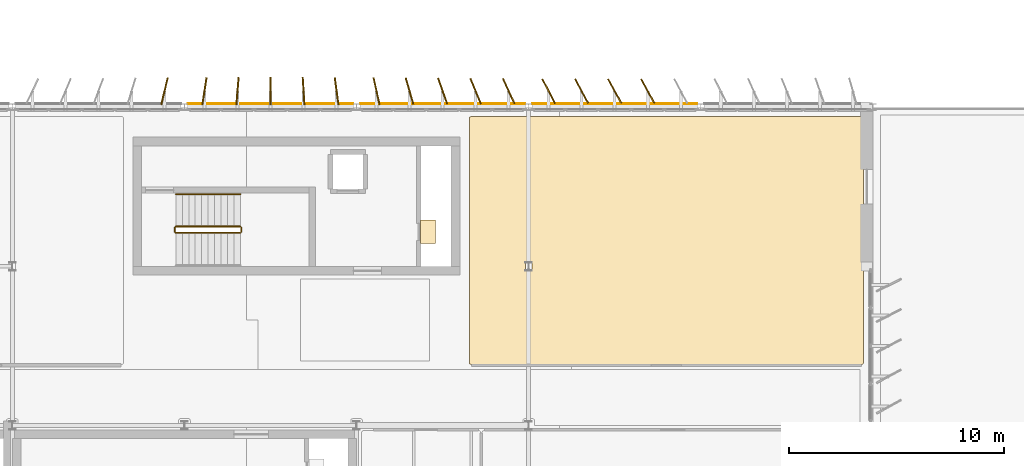
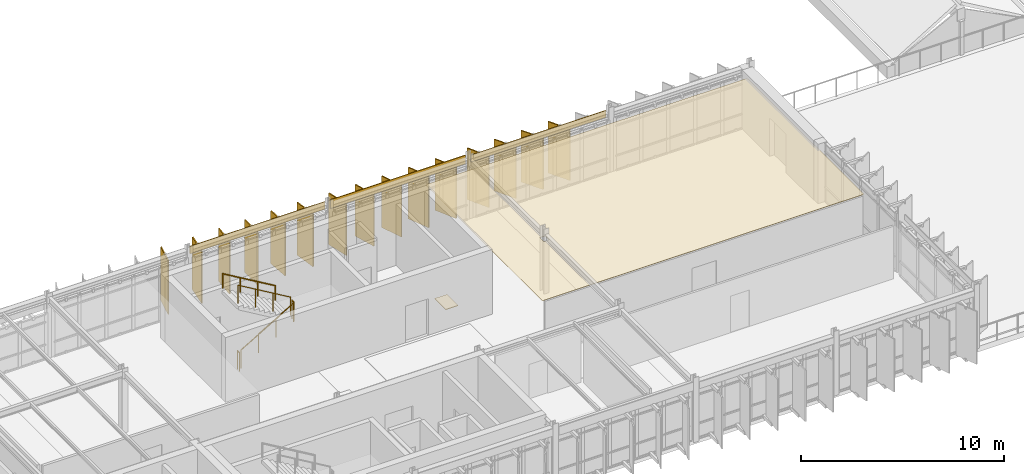
# One storey, part 34 of 35: 20 coverings, 5 railings.
"""IFC4 building model written with IfcOpenShell, lengths in metres."""

from ifc_helpers import new_model, si_unit, direction, frame, frame_2d, origin, origin_2d, place, context, subcontext, project, spatial, polyline, rectangle, circle, outline, extrude, material, layer, layer_set, type_object, element, save


model = new_model("IFC4")

# Units and contexts
model_context = context("Model", 3, precision=1e-05, world=origin(), true_north=direction((0.0, 1.0)))
body_context = subcontext(model_context, "Body", "Model", "MODEL_VIEW")
ifc_project = project(units=[si_unit("LENGTHUNIT", "METRE"), si_unit("AREAUNIT", "SQUARE_METRE"), si_unit("VOLUMEUNIT", "CUBIC_METRE"), si_unit("PLANEANGLEUNIT", "RADIAN"), si_unit("MASSUNIT", "GRAM", prefix="KILO")], contexts=[model_context])

# Site, building, storey
site_placement = place(None, origin())
site = spatial("IfcSite", under=ifc_project, at=site_placement, CompositionType="ELEMENT")
building_placement = place(site_placement, origin())
building = spatial("IfcBuilding", under=site, at=building_placement, Name="Valkorina Park Police Headquarters", CompositionType="ELEMENT")
storey_placement = place(building_placement, frame((0.0, 0.0, 27.199951171875)))
storey = spatial("IfcBuildingStorey", under=building, at=storey_placement, Name="L07", CompositionType="ELEMENT", Elevation=27.199951171875)

# Coverings
ifc_material_1 = material(Name="Acoustic mineral board")
ifc_layer_1 = layer(ifc_material_1, 0.02490234375)
ifc_layer_set_1 = layer_set([ifc_layer_1], Name="Acoustic mineral board")
covering_type_1 = type_object("IfcCoveringType", Name="COV-CEILING-ACOUST", PredefinedType="CEILING", material=ifc_layer_set_1)
covering_1_placement = place(storey_placement, frame((0.0, 0.0, 3.14501953125)))
element("IfcCovering", 1, at=covering_1_placement, inside=storey, type_object=covering_type_1, Name="Taskforce Terrace Breakout Room Acoustic Suspended Ceiling", PredefinedType="CEILING", context=body_context, shape_type="SweptSolid", body=[
    extrude(outline(polyline([(72.295654296875, 58.758544921875), (72.287841796875, 58.759521484375), (72.280029296875, 58.760009765625), (54.1201171875, 58.760009765625), (54.1123046875, 58.759521484375), (54.1044921875, 58.758544921875), (54.0966796875, 58.756591796875), (54.08935546875, 58.75390625), (54.082275390625, 58.75048828125), (54.07568359375, 58.74658203125), (54.069091796875, 58.74169921875), (54.0634765625, 58.736572265625), (54.05810546875, 58.730712890625), (54.053466796875, 58.724365234375), (54.04931640625, 58.7177734375), (54.046142578125, 58.710693359375), (54.04345703125, 58.703125), (54.04150390625, 58.695556640625), (54.040283203125, 58.687744140625), (54.0400390625, 58.679931640625), (54.0400390625, 47.320068359375), (54.040283203125, 47.312255859375), (54.04150390625, 47.304443359375), (54.04345703125, 47.296875), (54.046142578125, 47.289306640625), (54.04931640625, 47.2822265625), (54.053466796875, 47.275634765625), (54.05810546875, 47.269287109375), (54.0634765625, 47.263427734375), (54.069091796875, 47.25830078125), (54.07568359375, 47.25341796875), (54.082275390625, 47.24951171875), (54.08935546875, 47.24609375), (54.0966796875, 47.243408203125), (54.1044921875, 47.241455078125), (54.1123046875, 47.240478515625), (54.1201171875, 47.239990234375), (72.280029296875, 47.239990234375), (72.287841796875, 47.240478515625), (72.295654296875, 47.241455078125), (72.30322265625, 47.243408203125), (72.310546875, 47.24609375), (72.317626953125, 47.24951171875), (72.324462890625, 47.25341796875), (72.330810546875, 47.25830078125), (72.336669921875, 47.263427734375), (72.341796875, 47.269287109375), (72.346435546875, 47.275634765625), (72.3505859375, 47.2822265625), (72.35400390625, 47.289306640625), (72.356689453125, 47.296875), (72.3583984375, 47.304443359375), (72.359619140625, 47.312255859375), (72.360107421875, 47.320068359375), (72.360107421875, 58.679931640625), (72.359619140625, 58.687744140625), (72.3583984375, 58.695556640625), (72.356689453125, 58.703125), (72.35400390625, 58.710693359375), (72.3505859375, 58.7177734375), (72.346435546875, 58.724365234375), (72.341796875, 58.730712890625), (72.336669921875, 58.736572265625), (72.330810546875, 58.74169921875), (72.324462890625, 58.74658203125), (72.317626953125, 58.75048828125), (72.310546875, 58.75390625), (72.30322265625, 58.756591796875), (72.295654296875, 58.758544921875)]), holes=[polyline([(56.64990234375, 51.60498046875), (56.64990234375, 51.9951171875), (56.949951171875, 51.9951171875), (56.949951171875, 51.60498046875), (56.64990234375, 51.60498046875)])]), origin(), (0.0, 0.0, 1.0), 0.025146484375),
])
ifc_material_2 = material(Name="Precast concrete C40/50", Category="concrete")
ifc_layer_2 = layer(ifc_material_2, 0.044921875)
ifc_layer_set_2 = layer_set([ifc_layer_2], Name="Precast concrete C40/50")
covering_type_2 = type_object("IfcCoveringType", Name="COV-CLAD-DOLOMITE", PredefinedType="CLADDING", material=ifc_layer_set_2)
covering_2_placement = place(storey_placement, frame((40.9599609375, 59.360107421875, 3.22998046875), z_axis=(0.0, 0.0, 1.0), x_axis=(1.0, 0.0, 0.0)))
element("IfcCovering", 2, at=covering_2_placement, inside=storey, type_object=covering_type_2, Name="L07 Spandrel Beam Insulated Fascia 2569", PredefinedType="CLADDING", context=body_context, shape_type="SweptSolid", body=[
    extrude(rectangle(XDim=7.679931640625, YDim=0.044921875, at=frame_2d((3.83984375, 0.0))), origin(), (0.0, 0.0, 1.0), 0.449951171875),
])
covering_3_placement = place(storey_placement, frame((48.9599609375, 59.360107421875, 3.16015625), z_axis=(0.0, 0.0, 1.0), x_axis=(1.0, 0.0, 0.0)))
element("IfcCovering", 3, at=covering_3_placement, inside=storey, type_object=covering_type_2, Name="L07 Spandrel Beam Insulated Fascia 2570", PredefinedType="CLADDING", context=body_context, shape_type="SweptSolid", body=[
    extrude(rectangle(XDim=7.679931640625, YDim=0.044921875, at=frame_2d((3.83984375, 0.0))), origin(), (0.0, 0.0, 1.0), 0.519775390625),
])
covering_4_placement = place(storey_placement, frame((56.9599609375, 59.360107421875, 3.16015625), z_axis=(0.0, 0.0, 1.0), x_axis=(1.0, 0.0, 0.0)))
element("IfcCovering", 4, at=covering_4_placement, inside=storey, type_object=covering_type_2, Name="L07 Spandrel Beam Insulated Fascia 2571", PredefinedType="CLADDING", context=body_context, shape_type="SweptSolid", body=[
    extrude(rectangle(XDim=7.679931640625, YDim=0.044921875, at=frame_2d((3.83984375, 0.0))), origin(), (0.0, 0.0, 1.0), 0.409912109375),
])
ifc_material_3 = material(Name="Resin terrazzo flooring")
ifc_layer_3 = layer(ifc_material_3, 0.030029296875)
ifc_layer_set_3 = layer_set([ifc_layer_3], Name="Resin terrazzo flooring")
covering_type_3 = type_object("IfcCoveringType", Name="COV-FLOOR-TERRAZZO", PredefinedType="FLOORING", material=ifc_layer_set_3)
covering_5_placement = place(storey_placement, origin())
element("IfcCovering", 5, at=covering_5_placement, inside=storey, type_object=covering_type_3, Name="Core C3 L07 Riser Inspection Threshold Grate", PredefinedType="FLOORING", context=body_context, shape_type="SweptSolid", body=[
    extrude(outline(polyline([(52.47998046875, 52.85009765625), (52.47998046875, 53.949951171875), (51.780029296875, 53.949951171875), (51.780029296875, 52.85009765625), (52.47998046875, 52.85009765625)])), origin(), (0.0, 0.0, 1.0), 0.030029296875),
])

# Railings
ifc_material_4 = material(Name="Stainless steel EN 1.4404", Category="steel")
railing_type_1 = type_object("IfcRailingType", Name="RL-GUARD-INT-1100", PredefinedType="BALUSTRADE", material=ifc_material_4)
railing_1_placement = place(storey_placement, frame((40.39990234375, 53.35009765625, 0.17724609375)))
element("IfcRailing", 6, at=railing_1_placement, inside=storey, type_object=railing_type_1, Name="L07 Core C3 Stair Guard 1", PredefinedType="BALUSTRADE", context=body_context, shape_type="SweptSolid", body=[
    extrude(circle(Radius=0.02392578125, at=origin_2d()), frame((0.0, 0.0, 1.09619140625), z_axis=(0.86092931783, 0.0, 0.508724591208), x_axis=(0.0, 1.0, 0.0)), (0.0, 0.0, 1.0), 3.484619140625),
    extrude(circle(Radius=0.02099609375, at=origin_2d()), origin(), (0.0, 0.0, 1.0), 1.072021484375),
    extrude(circle(Radius=0.02099609375, at=origin_2d()), frame((1.0, 0.0, 0.5908203125)), (0.0, 0.0, 1.0), 1.072021484375),
    extrude(circle(Radius=0.02099609375, at=origin_2d()), frame((2.0, 0.0, 1.181884765625)), (0.0, 0.0, 1.0), 1.072021484375),
    extrude(circle(Radius=0.02099609375, at=origin_2d()), frame((3.0, 0.0, 1.772705078125)), (0.0, 0.0, 1.0), 1.072021484375),
])
railing_2_placement = place(storey_placement, frame((43.449951171875, 53.39990234375, 1.949951171875)))
element("IfcRailing", 7, at=railing_2_placement, inside=storey, type_object=railing_type_1, Name="L07 Core C3 Stair Guard 2", PredefinedType="BALUSTRADE", context=body_context, shape_type="SweptSolid", body=[
    extrude(circle(Radius=0.02392578125, at=origin_2d()), frame((0.0, 0.0, 1.09619140625), z_axis=(0.0, 1.0, 0.0), x_axis=(-1.0, 0.0, 0.0)), (0.0, 0.0, 1.0), 0.2001953125),
    extrude(circle(Radius=0.02099609375, at=origin_2d()), origin(), (0.0, 0.0, 1.0), 1.072021484375),
    extrude(circle(Radius=0.02099609375, at=origin_2d()), frame((0.0, 0.2001953125, 0.0)), (0.0, 0.0, 1.0), 1.072021484375),
])
railing_3_placement = place(storey_placement, frame((43.39990234375, 53.64990234375, 2.12744140625)))
element("IfcRailing", 8, at=railing_3_placement, inside=storey, type_object=railing_type_1, Name="L07 Core C3 Stair Guard 3", PredefinedType="BALUSTRADE", context=body_context, shape_type="SweptSolid", body=[
    extrude(circle(Radius=0.02392578125, at=origin_2d()), frame((0.0, 0.0, 1.09619140625), z_axis=(-0.86092931783, 0.0, 0.508724591208), x_axis=(0.0, -1.0, 0.0)), (0.0, 0.0, 1.0), 3.484619140625),
    extrude(circle(Radius=0.02099609375, at=origin_2d()), origin(), (0.0, 0.0, 1.0), 1.072021484375),
    extrude(circle(Radius=0.02099609375, at=origin_2d()), frame((-1.0, 0.0, 0.5908203125)), (0.0, 0.0, 1.0), 1.072021484375),
    extrude(circle(Radius=0.02099609375, at=origin_2d()), frame((-2.0, 0.0, 1.181884765625)), (0.0, 0.0, 1.0), 1.072021484375),
    extrude(circle(Radius=0.02099609375, at=origin_2d()), frame((-3.0, 0.0, 1.772705078125)), (0.0, 0.0, 1.0), 1.072021484375),
])
railing_4_placement = place(storey_placement, frame((40.35009765625, 53.39990234375, 0.0)))
element("IfcRailing", 9, at=railing_4_placement, inside=storey, type_object=railing_type_1, Name="L07 Core C3 Stair Guard 4", PredefinedType="BALUSTRADE", context=body_context, shape_type="SweptSolid", body=[
    extrude(circle(Radius=0.02392578125, at=origin_2d()), frame((0.0, 0.0, 1.09619140625), z_axis=(0.0, 1.0, 0.0), x_axis=(-1.0, 0.0, 0.0)), (0.0, 0.0, 1.0), 0.2001953125),
    extrude(circle(Radius=0.02099609375, at=origin_2d()), origin(), (0.0, 0.0, 1.0), 1.072021484375),
    extrude(circle(Radius=0.02099609375, at=origin_2d()), frame((0.0, 0.2001953125, 0.0)), (0.0, 0.0, 1.0), 1.072021484375),
])
railing_type_2 = type_object("IfcRailingType", Name="RL-HANDRAIL-900", PredefinedType="HANDRAIL", material=ifc_material_4)
railing_5_placement = place(storey_placement, frame((43.39990234375, 55.14990234375, 2.12744140625)))
element("IfcRailing", 10, at=railing_5_placement, inside=storey, type_object=railing_type_2, Name="L07 Core C3 Stair Handrail 2", PredefinedType="HANDRAIL", context=body_context, shape_type="SweptSolid", body=[
    extrude(circle(Radius=0.02392578125, at=origin_2d()), frame((0.0, 0.0, 0.8759765625), z_axis=(-0.86092931783, 0.0, 0.508724591208), x_axis=(0.0, -1.0, 0.0)), (0.0, 0.0, 1.0), 3.484619140625),
    extrude(circle(Radius=0.02099609375, at=origin_2d()), origin(), (0.0, 0.0, 1.0), 0.851806640625),
    extrude(circle(Radius=0.02099609375, at=origin_2d()), frame((-1.0, 0.0, 0.5908203125)), (0.0, 0.0, 1.0), 0.851806640625),
    extrude(circle(Radius=0.02099609375, at=origin_2d()), frame((-2.0, 0.0, 1.181884765625)), (0.0, 0.0, 1.0), 0.851806640625),
    extrude(circle(Radius=0.02099609375, at=origin_2d()), frame((-3.0, 0.0, 1.772705078125)), (0.0, 0.0, 1.0), 0.851806640625),
])

# Coverings
ifc_material_5 = material(Name="Polychrome anodized aluminium - Baltic Amber", Category="aluminium")
ifc_layer_4 = layer(ifc_material_5, 0.06494140625)
ifc_layer_set_4 = layer_set([ifc_layer_4], Name="Polychrome anodized aluminium - Baltic Amber")
covering_type_4 = type_object("IfcCoveringType", Name="SHD-LOUVRE-AMBER", PredefinedType="CLADDING", material=ifc_layer_set_4)
covering_6_placement = place(storey_placement, frame((44.800048828125, 59.93994140625, 0.0400390625), z_axis=(0.0, 0.0, 1.0), x_axis=(0.010297260602, 0.999946981807, 0.0)))
element("IfcCovering", 11, at=covering_6_placement, inside=storey, type_object=covering_type_4, Name="V5 Polychrome Pivoting Louvre 0551", PredefinedType="CLADDING", context=body_context, shape_type="SweptSolid", body=[
    extrude(rectangle(XDim=1.280029296875, YDim=0.06494140625, at=origin_2d()), origin(), (0.0, 0.0, 1.0), 3.169921875),
])
for number, where, z_axis, x_axis, name in (
    (12, (51.263916015625, 59.93994140625, 0.0400390625), (0.0, 0.0, 1.0), (-0.279326294767, 0.960196240907, 0.0), "V5 Polychrome Pivoting Louvre 0555"),
    (13, (57.72802734375, 59.93994140625, 0.0400390625), (0.0, 0.0, 1.0), (-0.455700271739, 0.890133283468, 0.0), "V5 Polychrome Pivoting Louvre 0559"),
):
    element("IfcCovering", number, at=place(storey_placement, frame(where, z_axis=z_axis, x_axis=x_axis)), inside=storey, type_object=covering_type_4, Name=name, PredefinedType="CLADDING", context=body_context, shape_type="SweptSolid", body=[
        extrude(rectangle(XDim=1.280029296875, YDim=0.06494140625, at=origin_2d()), origin(), (0.0, 0.0, 1.0), 3.10009765625),
    ])
ifc_material_6 = material(Name="Polychrome anodized aluminium - Riga Ochre", Category="aluminium")
ifc_layer_5 = layer(ifc_material_6, 0.06494140625)
ifc_layer_set_5 = layer_set([ifc_layer_5], Name="Polychrome anodized aluminium - Riga Ochre")
covering_type_5 = type_object("IfcCoveringType", Name="SHD-LOUVRE-OCHRE", PredefinedType="CLADDING", material=ifc_layer_set_5)
for number, where, z_axis, x_axis, name in (
    (14, (41.72802734375, 59.93994140625, 0.0400390625), (0.0, 0.0, 1.0), (0.154882815468, 0.987932848666, 0.0), "V5 Polychrome Pivoting Louvre 0549"),
    (15, (47.8720703125, 59.93994140625, 0.0400390625), (0.0, 0.0, 1.0), (-0.135369727936, 0.990795153782, 0.0), "V5 Polychrome Pivoting Louvre 0553"),
):
    element("IfcCovering", number, at=place(storey_placement, frame(where, z_axis=z_axis, x_axis=x_axis)), inside=storey, type_object=covering_type_5, Name=name, PredefinedType="CLADDING", context=body_context, shape_type="SweptSolid", body=[
        extrude(rectangle(XDim=1.280029296875, YDim=0.06494140625, at=origin_2d()), origin(), (0.0, 0.0, 1.0), 3.169921875),
    ])
for number, where, z_axis, x_axis, name in (
    (16, (54.3359375, 59.93994140625, 0.0400390625), (0.0, 0.0, 1.0), (-0.381877049766, 0.924213134976, 0.0), "V5 Polychrome Pivoting Louvre 0557"),
    (17, (60.800048828125, 59.93994140625, 0.0400390625), (0.0, 0.0, 1.0), (-0.483740709141, 0.875211360941, 0.0), "V5 Polychrome Pivoting Louvre 0561"),
):
    element("IfcCovering", number, at=place(storey_placement, frame(where, z_axis=z_axis, x_axis=x_axis)), inside=storey, type_object=covering_type_5, Name=name, PredefinedType="CLADDING", context=body_context, shape_type="SweptSolid", body=[
        extrude(rectangle(XDim=1.280029296875, YDim=0.06494140625, at=origin_2d()), origin(), (0.0, 0.0, 1.0), 3.10009765625),
    ])
ifc_material_7 = material(Name="Polychrome anodized aluminium - Courland Slate Blue", Category="masonry")
ifc_layer_6 = layer(ifc_material_7, 0.06494140625)
ifc_layer_set_6 = layer_set([ifc_layer_6], Name="Polychrome anodized aluminium - Courland Slate Blue")
covering_type_6 = type_object("IfcCoveringType", Name="SHD-LOUVRE-SLATE", PredefinedType="CLADDING", material=ifc_layer_set_6)
covering_7_placement = place(storey_placement, frame((43.263916015625, 59.93994140625, 0.0400390625), z_axis=(0.0, 0.0, 1.0), x_axis=(0.083677843332, 0.99649285925, 0.0)))
element("IfcCovering", 18, at=covering_7_placement, inside=storey, type_object=covering_type_6, Name="V5 Polychrome Pivoting Louvre 0550", PredefinedType="CLADDING", context=body_context, shape_type="SweptSolid", body=[
    extrude(rectangle(XDim=1.280029296875, YDim=0.06494140625, at=origin_2d()), origin(), (0.0, 0.0, 1.0), 3.169921875),
])
for number, where, z_axis, x_axis, name in (
    (19, (49.72802734375, 59.93994140625, 0.0400390625), (0.0, 0.0, 1.0), (-0.217461869863, 0.976068816814, 0.0), "V5 Polychrome Pivoting Louvre 0554"),
    (20, (55.8720703125, 59.93994140625, 0.0400390625), (0.0, 0.0, 1.0), (-0.420719169633, 0.907190928252, 0.0), "V5 Polychrome Pivoting Louvre 0558"),
    (21, (62.3359375, 59.93994140625, 0.0400390625), (0.0, 0.0, 1.0), (-0.483587948575, 0.875295776291, 0.0), "V5 Polychrome Pivoting Louvre 0562"),
):
    element("IfcCovering", number, at=place(storey_placement, frame(where, z_axis=z_axis, x_axis=x_axis)), inside=storey, type_object=covering_type_6, Name=name, PredefinedType="CLADDING", context=body_context, shape_type="SweptSolid", body=[
        extrude(rectangle(XDim=1.280029296875, YDim=0.06494140625, at=origin_2d()), origin(), (0.0, 0.0, 1.0), 3.10009765625),
    ])
ifc_material_8 = material(Name="Polychrome anodized aluminium - Pine Verdigris", Category="aluminium")
ifc_layer_7 = layer(ifc_material_8, 0.06494140625)
ifc_layer_set_7 = layer_set([ifc_layer_7], Name="Polychrome anodized aluminium - Pine Verdigris")
covering_type_7 = type_object("IfcCoveringType", Name="SHD-LOUVRE-VERDIGRIS", PredefinedType="CLADDING", material=ifc_layer_set_7)
covering_8_placement = place(storey_placement, frame((39.8720703125, 59.93994140625, 0.0400390625), z_axis=(0.0, 0.0, 1.0), x_axis=(0.235311748717, 0.971919945734, 0.0)))
element("IfcCovering", 22, at=covering_8_placement, inside=storey, type_object=covering_type_7, Name="V5 Polychrome Pivoting Louvre 0548", PredefinedType="CLADDING", context=body_context, shape_type="SweptSolid", body=[
    extrude(rectangle(XDim=1.280029296875, YDim=0.06494140625, at=origin_2d()), origin(), (0.0, 0.0, 1.0), 3.2099609375),
])
covering_9_placement = place(storey_placement, frame((46.3359375, 59.93994140625, 0.0400390625), z_axis=(0.0, 0.0, 1.0), x_axis=(-0.063313076471, 0.997993714583, 0.0)))
element("IfcCovering", 23, at=covering_9_placement, inside=storey, type_object=covering_type_7, Name="V5 Polychrome Pivoting Louvre 0552", PredefinedType="CLADDING", context=body_context, shape_type="SweptSolid", body=[
    extrude(rectangle(XDim=1.280029296875, YDim=0.06494140625, at=origin_2d()), origin(), (0.0, 0.0, 1.0), 3.169921875),
])
for number, where, z_axis, x_axis, name in (
    (24, (52.800048828125, 59.93994140625, 0.0400390625), (0.0, 0.0, 1.0), (-0.334629341909, 0.94234983076, 0.0), "V5 Polychrome Pivoting Louvre 0556"),
    (25, (59.263916015625, 59.93994140625, 0.0400390625), (0.0, 0.0, 1.0), (-0.474395524734, 0.880311811867, 0.0), "V5 Polychrome Pivoting Louvre 0560"),
):
    element("IfcCovering", number, at=place(storey_placement, frame(where, z_axis=z_axis, x_axis=x_axis)), inside=storey, type_object=covering_type_7, Name=name, PredefinedType="CLADDING", context=body_context, shape_type="SweptSolid", body=[
        extrude(rectangle(XDim=1.280029296875, YDim=0.06494140625, at=origin_2d()), origin(), (0.0, 0.0, 1.0), 3.10009765625),
    ])

save(model, "model.ifc")
